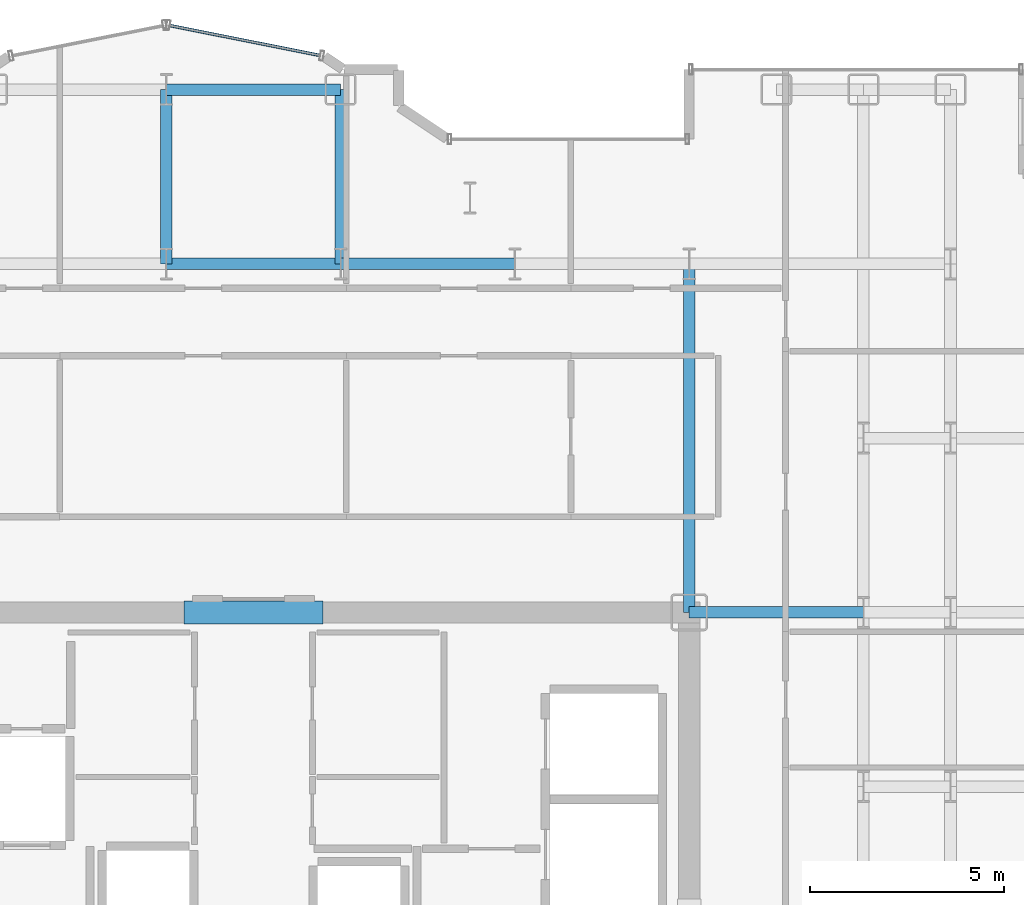
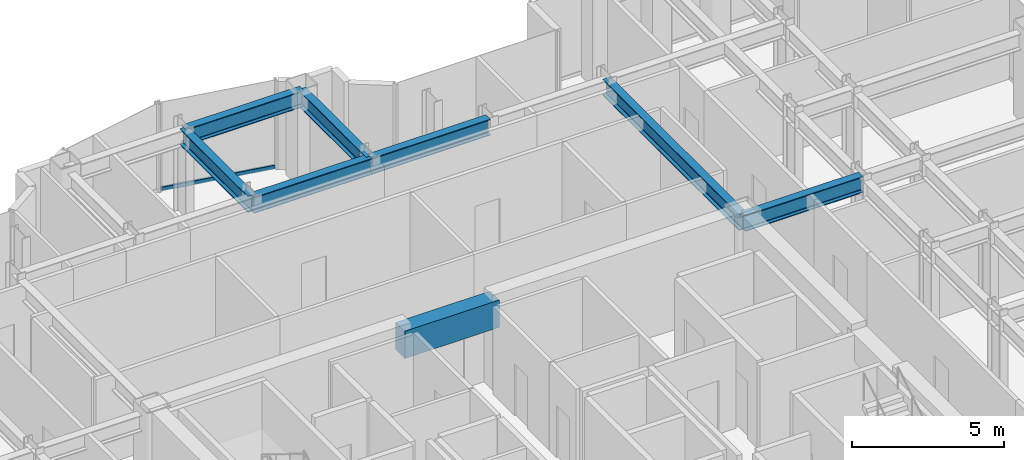
# One storey, part 12 of 23: 8 beams, 1 member, 1 element without a shape of its own.
"""IFC4 building model written with IfcOpenShell, lengths in metres."""

from ifc_helpers import new_model, si_unit, direction, frame, origin, origin_2d, place, context, subcontext, project, spatial, rectangle, hollow_rectangle, i_section, extrude, source, transform, mapped, material, layer, layer_set, material_profile, profile_set, type_object, element, aggregate, save


model = new_model("IFC4")

# Units and contexts
model_context = context("Model", 3, precision=1e-05, world=origin(), true_north=direction((0.0, 1.0)))
body_context = subcontext(model_context, "Body", "Model", "MODEL_VIEW")
ifc_project = project(units=[si_unit("LENGTHUNIT", "METRE"), si_unit("AREAUNIT", "SQUARE_METRE"), si_unit("VOLUMEUNIT", "CUBIC_METRE"), si_unit("PLANEANGLEUNIT", "RADIAN"), si_unit("MASSUNIT", "GRAM", prefix="KILO")], contexts=[model_context])

# Site, building, storey
site_placement = place(None, origin())
site = spatial("IfcSite", under=ifc_project, at=site_placement, CompositionType="ELEMENT")
building_placement = place(site_placement, origin())
building = spatial("IfcBuilding", under=site, at=building_placement, Name="Nefas-Gora Pilgrimage Tower", CompositionType="ELEMENT")
storey_placement = place(building_placement, frame((0.0, 0.0, 152.60009765625)))
storey = spatial("IfcBuildingStorey", under=building, at=storey_placement, Name="L37", CompositionType="ELEMENT", Elevation=152.60009765625)

# Beams
ifc_material_1 = material(Name="Concrete C60/75", Category="concrete")
ifc_material_profile_1 = material_profile(ifc_material_1, rectangle(XDim=0.60009765625, YDim=1.10009765625, at=origin_2d()), Name="RC 600x1100")
ifc_profile_set_1 = profile_set([ifc_material_profile_1], Name="Concrete C60/75")
beam_type_1 = type_object("IfcBeamType", Name="BM-LIN-RC1100", PredefinedType="LINTEL", material=ifc_profile_set_1)
shared_shape_1 = source(origin(), body_context, "Body", "SweptSolid", [
    extrude(rectangle(XDim=0.60009765625, YDim=1.10009765625, at=origin_2d()), origin(), (0.0, 0.0, 1.0), 3.60009765625),
])
beam_1_placement = place(storey_placement, frame((-1.800048828125, 9.0, 3.0), z_axis=(1.0, 0.0, 0.0), x_axis=(0.0, 1.0, 0.0)))
element("IfcBeam", 1, at=beam_1_placement, inside=storey, type_object=beam_type_1, Name="L37 Core Coupling Lintel Beam N", PredefinedType="LINTEL", context=body_context, shape_type="MappedRepresentation", body=[
    mapped(shared_shape_1, transform((0.0, 0.0, 0.0), x_axis=(1.0, 0.0, 0.0), y_axis=(0.0, 1.0, 0.0), z_axis=(0.0, 0.0, 1.0), scale=1.0)),
])
ifc_material_2 = material(Name="Steel S355", Category="steel")
ifc_material_profile_2 = material_profile(ifc_material_2, i_section(OverallWidth=0.300048828125, OverallDepth=0.64990234375, WebThickness=0.01611328125, FlangeThickness=0.031005859375, FilletRadius=0.027099609375, at=origin_2d()), Name="HEB 650")
ifc_profile_set_2 = profile_set([ifc_material_profile_2], Name="Steel S355")
beam_type_2 = type_object("IfcBeamType", Name="BM-GIR-HEB650", PredefinedType="BEAM", material=ifc_profile_set_2)
shared_shape_2 = source(origin(), body_context, "Body", "SweptSolid", [
    extrude(i_section(OverallWidth=0.300048828125, OverallDepth=0.64990234375, WebThickness=0.01611328125, FlangeThickness=0.031005859375, FilletRadius=0.027099609375, at=origin_2d()), origin(), (0.0, 0.0, 1.0), 9.0),
])
beam_2_placement = place(storey_placement, frame((11.25, 9.0, 3.224853515625), z_axis=(0.0, 1.0, 0.0), x_axis=(-1.0, 0.0, 0.0)))
element("IfcBeam", 2, at=beam_2_placement, inside=storey, type_object=beam_type_2, Name="L37 G-03 beam", PredefinedType="BEAM", context=body_context, shape_type="MappedRepresentation", body=[
    mapped(shared_shape_2, transform((0.0, 0.0, 0.0), x_axis=(1.0, 0.0, 0.0), y_axis=(0.0, 1.0, 0.0), z_axis=(0.0, 0.0, 1.0), scale=1.0)),
])
shared_shape_3 = source(origin(), body_context, "Body", "SweptSolid", [
    extrude(i_section(OverallWidth=0.300048828125, OverallDepth=0.64990234375, WebThickness=0.01611328125, FlangeThickness=0.031005859375, FilletRadius=0.027099609375, at=origin_2d()), origin(), (0.0, 0.0, 1.0), 4.5),
])
for number, where, z_axis, x_axis, name in (
    (3, (-2.25, 18.0, 3.224853515625), (0.0, 1.0, 0.0), (-1.0, 0.0, 0.0), "L37 G-03 beam"),
    (4, (-2.25, 18.0, 3.224853515625), (1.0, 0.0, 0.0), (0.0, 1.0, 0.0), "L37 G-03 beam"),
    (5, (-2.25, 22.5, 3.224853515625), (1.0, 0.0, 0.0), (0.0, 1.0, 0.0), "L37 G-03 beam"),
    (6, (2.25, 18.0, 3.224853515625), (0.0, 1.0, 0.0), (-1.0, 0.0, 0.0), "L37 G-03 beam"),
    (7, (2.25, 18.0, 3.224853515625), (1.0, 0.0, 0.0), (0.0, 1.0, 0.0), "L37 G-03 beam"),
    (8, (11.25, 9.0, 3.224853515625), (1.0, 0.0, 0.0), (0.0, 1.0, 0.0), "L37 G-03 beam"),
):
    element("IfcBeam", number, at=place(storey_placement, frame(where, z_axis=z_axis, x_axis=x_axis)), inside=storey, type_object=beam_type_2, Name=name, PredefinedType="BEAM", context=body_context, shape_type="MappedRepresentation", body=[
        mapped(shared_shape_3, transform((0.0, 0.0, 0.0), x_axis=(1.0, 0.0, 0.0), y_axis=(0.0, 1.0, 0.0), z_axis=(0.0, 0.0, 1.0), scale=1.0)),
    ])

# Curtain wall, member
ifc_material_3 = material(Name="Dark ceramic-fritted solar-control aluminium-glass curtain wall", Category="aluminium")
ifc_layer = layer(ifc_material_3, 0.219970703125)
ifc_layer_set = layer_set([ifc_layer], Name="Dark ceramic-fritted solar-control aluminium-glass curtain wall")
curtain_wall_type = type_object("IfcCurtainWallType", Name="CW-SYS-5", PredefinedType="NOTDEFINED", material=ifc_layer_set)
curtain_wall_placement = place(storey_placement, origin())
curtain_wall = element("IfcCurtainWall", 9, at=curtain_wall_placement, inside=storey, type_object=curtain_wall_type, Name="L37 Unitised Curtain Wall CW5", PredefinedType="NOTDEFINED")
ifc_material_4 = material(Name="Anodised architectural aluminium", Category="aluminium")
ifc_material_profile_3 = material_profile(ifc_material_4, hollow_rectangle(XDim=0.080078125, YDim=0.159912109375, WallThickness=0.00439453125, InnerFilletRadius=0.00439453125, OuterFilletRadius=0.009033203125, at=origin_2d()), Name="ALU TRANSOM 80x160")
ifc_profile_set_3 = profile_set([ifc_material_profile_3], Name="Anodised architectural aluminium")
member_type = type_object("IfcMemberType", Name="CWM-TRN-5", PredefinedType="USERDEFINED", material=ifc_profile_set_3)
shared_shape_4 = source(origin(), body_context, "Body", "SweptSolid", [
    extrude(hollow_rectangle(XDim=0.080078125, YDim=0.159912109375, WallThickness=0.00439453125, InnerFilletRadius=0.00439453125, OuterFilletRadius=0.009033203125, at=origin_2d()), origin(), (0.0, 0.0, 1.0), 3.95654296875),
])
member_placement = place(storey_placement, frame((1.718994140625, 23.3828125, 0.0498046875), z_axis=(-0.980781880918, 0.195107411605, 0.0), x_axis=(-0.195107411605, -0.980781880918, 0.0)))
member = element("IfcMember", 10, at=member_placement, type_object=member_type, Name="CW5 Spandrel Transom", ObjectType="TRANSOM", PredefinedType="USERDEFINED", context=body_context, shape_type="MappedRepresentation", body=[
    mapped(shared_shape_4, transform((0.0, 0.0, 0.0), x_axis=(1.0, 0.0, 0.0), y_axis=(0.0, 1.0, 0.0), z_axis=(0.0, 0.0, 1.0), scale=1.0)),
])
aggregate(curtain_wall, [member])

save(model, "model.ifc")
